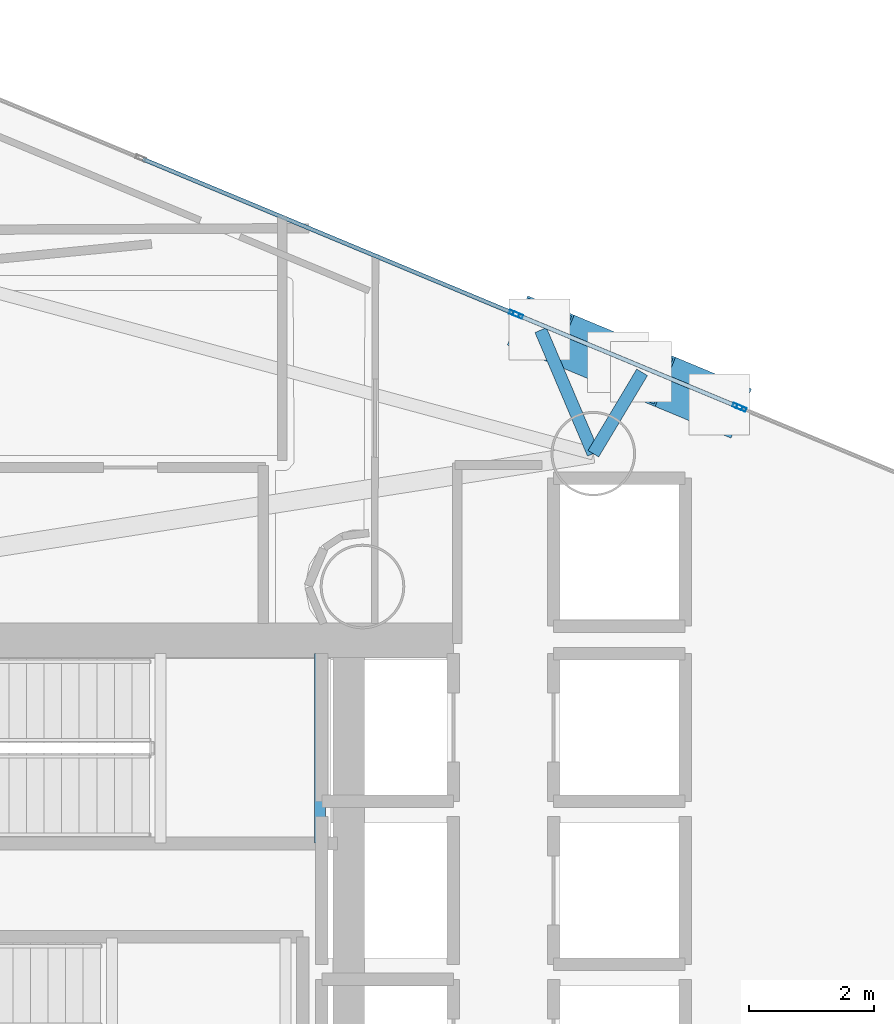
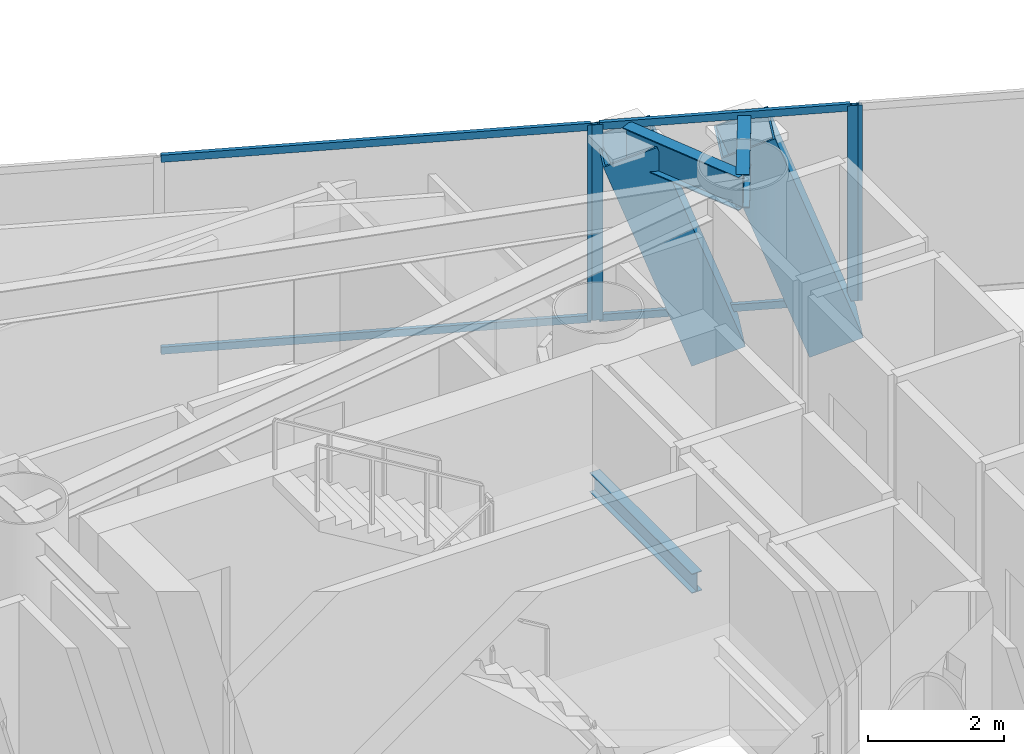
# One storey, part 13 of 22: 10 members, 3 beams, 3 elements without a shape of their own.
"""IFC4 building model written with IfcOpenShell, lengths in metres."""

from ifc_helpers import new_model, si_unit, direction, frame, origin, origin_2d, place, context, subcontext, project, spatial, hollow_rectangle, i_section, extrude, material, layer, layer_set, material_profile, profile_set, type_object, element, aggregate, save


model = new_model("IFC4")

# Units and contexts
model_context = context("Model", 3, precision=1e-05, world=origin(), true_north=direction((0.0, 1.0)))
body_context = subcontext(model_context, "Body", "Model", "MODEL_VIEW")
ifc_project = project(units=[si_unit("LENGTHUNIT", "METRE"), si_unit("AREAUNIT", "SQUARE_METRE"), si_unit("VOLUMEUNIT", "CUBIC_METRE"), si_unit("PLANEANGLEUNIT", "RADIAN"), si_unit("MASSUNIT", "GRAM", prefix="KILO")], contexts=[model_context])

# Site, building, storey
site_placement = place(None, origin())
site = spatial("IfcSite", under=ifc_project, at=site_placement, CompositionType="ELEMENT")
building_placement = place(site_placement, origin())
building = spatial("IfcBuilding", under=site, at=building_placement, Name="Qianvela Tower", CompositionType="ELEMENT")
storey_placement = place(building_placement, frame((0.0, 0.0, 158.699951171875)))
storey = spatial("IfcBuildingStorey", under=building, at=storey_placement, Name="L40", CompositionType="ELEMENT", Elevation=158.699951171875)

# Beams
ifc_material_1 = material(Name="Steel Q355B", Category="steel")
ifc_material_profile_1 = material_profile(ifc_material_1, i_section(OverallWidth=0.175048828125, OverallDepth=0.35009765625, WebThickness=0.007080078125, FlangeThickness=0.010986328125, at=origin_2d()), Name="HN350x175x7x11")
ifc_profile_set_1 = profile_set([ifc_material_profile_1], Name="Steel Q355B")
beam_type_1 = type_object("IfcBeamType", Name="BM-HN350-JOIST", PredefinedType="JOIST", material=ifc_profile_set_1)
beam_1_placement = place(storey_placement, frame((37.719970703125, 29.4599609375, 1.47509765625), z_axis=(0.0, 1.0, 0.0), x_axis=(-1.0, 0.0, 0.0)))
element("IfcBeam", 1, at=beam_1_placement, inside=storey, type_object=beam_type_1, Name="L40 Stair ST-1 Landing Support Beam 1.2", PredefinedType="JOIST", context=body_context, shape_type="SweptSolid", body=[
    extrude(i_section(OverallWidth=0.175048828125, OverallDepth=0.35009765625, WebThickness=0.007080078125, FlangeThickness=0.010986328125, at=origin_2d()), origin(), (0.0, 0.0, 1.0), 3.02001953125),
])
ifc_material_2 = material(Name="Steel Q355B", Category="steel")
ifc_material_profile_2 = material_profile(ifc_material_2, i_section(OverallWidth=0.199951171875, OverallDepth=0.60009765625, WebThickness=0.010986328125, FlangeThickness=0.01708984375, at=origin_2d()), Name="HN600x200x11x17")
ifc_profile_set_2 = profile_set([ifc_material_profile_2], Name="Steel Q355B")
beam_type_2 = type_object("IfcBeamType", Name="BM-HN600-GIRD", PredefinedType="BEAM", material=ifc_profile_set_2)
beam_2_placement = place(storey_placement, frame((42.0830078125, 35.6689453125, 3.218017578125), z_axis=(0.514163979884, 0.857691903768, 0.0), x_axis=(-0.857691903768, 0.514163979884, 0.0)))
element("IfcBeam", 2, at=beam_2_placement, inside=storey, type_object=beam_type_2, Name="L40 Mega-Brace Column Tie Bracket F1-1", PredefinedType="BEAM", context=body_context, shape_type="SweptSolid", body=[
    extrude(i_section(OverallWidth=0.199951171875, OverallDepth=0.60009765625, WebThickness=0.010986328125, FlangeThickness=0.01708984375, at=origin_2d()), origin(), (0.0, 0.0, 1.0), 1.51513671875),
])
beam_3_placement = place(storey_placement, frame((42.0830078125, 35.6689453125, 3.218017578125), z_axis=(-0.391388993355, 0.920225328863, 0.0), x_axis=(-0.920225328863, -0.391388993355, 0.0)))
element("IfcBeam", 3, at=beam_3_placement, inside=storey, type_object=beam_type_2, Name="L40 Mega-Brace Column Tie Bracket F1-2", PredefinedType="BEAM", context=body_context, shape_type="SweptSolid", body=[
    extrude(i_section(OverallWidth=0.199951171875, OverallDepth=0.60009765625, WebThickness=0.010986328125, FlangeThickness=0.01708984375, at=origin_2d()), origin(), (0.0, 0.0, 1.0), 2.14404296875),
])

# Curtain wall, members
ifc_material_3 = material(Name="Anodised Architectural Aluminium and Insulated Spandrel Panel", Category="aluminium")
ifc_layer_1 = layer(ifc_material_3, 0.179931640625)
ifc_layer_set_1 = layer_set([ifc_layer_1], Name="Anodised Architectural Aluminium and Insulated Spandrel Panel")
curtain_wall_type_1 = type_object("IfcCurtainWallType", Name="CW-BRACEBAY", PredefinedType="USERDEFINED", material=ifc_layer_set_1)
curtain_wall_1_placement = place(storey_placement, origin())
curtain_wall_1 = element("IfcCurtainWall", 4, at=curtain_wall_1_placement, inside=storey, type_object=curtain_wall_type_1, Name="L40 CW-BRACEBAY Curtain Wall 02B", ObjectType="CURTAIN_WALL_SYSTEM", PredefinedType="USERDEFINED")
ifc_material_4 = material(Name="Anodised Architectural Aluminium 6063-T6", Category="aluminium")
ifc_material_profile_3 = material_profile(ifc_material_4, hollow_rectangle(XDim=0.06494140625, YDim=0.159912109375, WallThickness=0.0048828125, at=origin_2d()), Name="ALU-MULL-65x160")
ifc_profile_set_3 = profile_set([ifc_material_profile_3], Name="Anodised Architectural Aluminium 6063-T6")
member_type_1 = type_object("IfcMemberType", Name="CW-BRACEBAY-MULL", PredefinedType="MULLION", material=ifc_profile_set_3)
member_1_placement = place(storey_placement, frame((44.384033203125, 36.421875, 0.0), z_axis=(0.0, 0.0, 1.0), x_axis=(-0.38419225707, -0.923253112428, 0.0)))
member_1 = element("IfcMember", 5, at=member_1_placement, type_object=member_type_1, Name="CW-9 mullion 1", PredefinedType="MULLION", context=body_context, shape_type="SweptSolid", body=[
    extrude(hollow_rectangle(XDim=0.06494140625, YDim=0.159912109375, WallThickness=0.0048828125, at=origin_2d()), origin(), (0.0, 0.0, 1.0), 3.52001953125),
])
member_2_placement = place(storey_placement, frame((40.880126953125, 37.880126953125, 0.0), z_axis=(0.0, 0.0, 1.0), x_axis=(-0.38419225707, -0.923253112428, 0.0)))
member_2 = element("IfcMember", 6, at=member_2_placement, type_object=member_type_1, Name="CW-9 mullion 2", PredefinedType="MULLION", context=body_context, shape_type="SweptSolid", body=[
    extrude(hollow_rectangle(XDim=0.06494140625, YDim=0.159912109375, WallThickness=0.0048828125, at=origin_2d()), origin(), (0.0, 0.0, 1.0), 3.52001953125),
])
ifc_material_5 = material(Name="Anodised Architectural Aluminium 6063-T6", Category="aluminium")
ifc_material_profile_4 = material_profile(ifc_material_5, hollow_rectangle(XDim=0.06494140625, YDim=0.1298828125, WallThickness=0.00439453125, at=origin_2d()), Name="ALU-TRAN-65x130")
ifc_profile_set_4 = profile_set([ifc_material_profile_4], Name="Anodised Architectural Aluminium 6063-T6")
member_type_2 = type_object("IfcMemberType", Name="CW-BRACEBAY-TRAN", PredefinedType="USERDEFINED", material=ifc_profile_set_4)
member_3_placement = place(storey_placement, frame((44.35400390625, 36.4345703125, 0.032470703125), z_axis=(-0.923274321022, 0.384141286692, 0.0), x_axis=(-0.384141286692, -0.923274321022, 0.0)))
member_3 = element("IfcMember", 7, at=member_3_placement, type_object=member_type_2, Name="CW-9 transom 1.1", ObjectType="TRANSOM", PredefinedType="USERDEFINED", context=body_context, shape_type="SweptSolid", body=[
    extrude(hollow_rectangle(XDim=0.06494140625, YDim=0.1298828125, WallThickness=0.00439453125, at=origin_2d()), origin(), (0.0, 0.0, 1.0), 3.72998046875),
])
member_4_placement = place(storey_placement, frame((44.35400390625, 36.4345703125, 3.487548828125), z_axis=(-0.923274321022, 0.384141286692, 0.0), x_axis=(-0.384141286692, -0.923274321022, 0.0)))
member_4 = element("IfcMember", 8, at=member_4_placement, type_object=member_type_2, Name="CW-9 transom 1.2", ObjectType="TRANSOM", PredefinedType="USERDEFINED", context=body_context, shape_type="SweptSolid", body=[
    extrude(hollow_rectangle(XDim=0.06494140625, YDim=0.1298828125, WallThickness=0.00439453125, at=origin_2d()), origin(), (0.0, 0.0, 1.0), 3.72998046875),
])
aggregate(curtain_wall_1, [member_1, member_2, member_3, member_4])

# Curtain wall, member
ifc_material_6 = material(Name="Anodised Architectural Aluminium and Low-E Glass", Category="aluminium")
ifc_layer_2 = layer(ifc_material_6, 0.169921875)
ifc_layer_set_2 = layer_set([ifc_layer_2], Name="Anodised Architectural Aluminium and Low-E Glass")
curtain_wall_type_2 = type_object("IfcCurtainWallType", Name="CW-COLIV-Z34", PredefinedType="USERDEFINED", material=ifc_layer_set_2)
curtain_wall_2_placement = place(storey_placement, origin())
curtain_wall_2 = element("IfcCurtainWall", 9, at=curtain_wall_2_placement, inside=storey, type_object=curtain_wall_type_2, Name="L40 CW-COLIV-Z34 Curtain Wall 02A", ObjectType="CURTAIN_WALL_SYSTEM", PredefinedType="USERDEFINED")
ifc_material_7 = material(Name="Anodised Architectural Aluminium 6063-T6", Category="aluminium")
ifc_material_profile_5 = material_profile(ifc_material_7, hollow_rectangle(XDim=0.06494140625, YDim=0.159912109375, WallThickness=0.0048828125, at=origin_2d()), Name="ALU-MULL-65x160")
ifc_profile_set_5 = profile_set([ifc_material_profile_5], Name="Anodised Architectural Aluminium 6063-T6")
member_type_3 = type_object("IfcMemberType", Name="CW-COLIV-Z34-MULL", PredefinedType="MULLION", material=ifc_profile_set_5)
member_5_placement = place(storey_placement, frame((44.444091796875, 36.39697265625, 0.0), z_axis=(0.0, 0.0, 1.0), x_axis=(-0.384184843417, -0.923256197428, 0.0)))
member_5 = element("IfcMember", 10, at=member_5_placement, type_object=member_type_3, Name="CW-4 mullion 3", PredefinedType="MULLION", context=body_context, shape_type="SweptSolid", body=[
    extrude(hollow_rectangle(XDim=0.06494140625, YDim=0.159912109375, WallThickness=0.0048828125, at=origin_2d()), origin(), (0.0, 0.0, 1.0), 3.52001953125),
])
aggregate(curtain_wall_2, [member_5])

# Curtain wall, members
curtain_wall_3_placement = place(storey_placement, origin())
curtain_wall_3 = element("IfcCurtainWall", 11, at=curtain_wall_3_placement, inside=storey, type_object=curtain_wall_type_2, Name="L40 CW-COLIV-Z34 Curtain Wall 02C", ObjectType="CURTAIN_WALL_SYSTEM", PredefinedType="USERDEFINED")
member_6_placement = place(storey_placement, frame((40.8203125, 37.905029296875, 0.0), z_axis=(0.0, 0.0, 1.0), x_axis=(-0.384182286726, -0.923257261312, 0.0)))
member_6 = element("IfcMember", 12, at=member_6_placement, type_object=member_type_3, Name="CW-4 mullion 1", PredefinedType="MULLION", context=body_context, shape_type="SweptSolid", body=[
    extrude(hollow_rectangle(XDim=0.06494140625, YDim=0.159912109375, WallThickness=0.0048828125, at=origin_2d()), origin(), (0.0, 0.0, 1.0), 3.52001953125),
])
ifc_material_8 = material(Name="Anodised Architectural Aluminium 6063-T6", Category="aluminium")
ifc_material_profile_6 = material_profile(ifc_material_8, hollow_rectangle(XDim=0.06494140625, YDim=0.1298828125, WallThickness=0.00439453125, at=origin_2d()), Name="ALU-TRAN-65x130")
ifc_profile_set_6 = profile_set([ifc_material_profile_6], Name="Anodised Architectural Aluminium 6063-T6")
member_type_4 = type_object("IfcMemberType", Name="CW-COLIV-Z34-TRAN", PredefinedType="USERDEFINED", material=ifc_profile_set_6)
member_7_placement = place(storey_placement, frame((40.790283203125, 37.91748046875, 0.032470703125), z_axis=(-0.923261143844, 0.38417295619, 0.0), x_axis=(-0.38417295619, -0.923261143844, 0.0)))
member_7 = element("IfcMember", 13, at=member_7_placement, type_object=member_type_4, Name="CW-4 transom 1.1", ObjectType="TRANSOM", PredefinedType="USERDEFINED", context=body_context, shape_type="SweptSolid", body=[
    extrude(hollow_rectangle(XDim=0.06494140625, YDim=0.1298828125, WallThickness=0.00439453125, at=origin_2d()), origin(), (0.0, 0.0, 1.0), 6.387451171875),
])
member_8_placement = place(storey_placement, frame((40.790283203125, 37.91748046875, 3.487548828125), z_axis=(-0.923261143844, 0.38417295619, 0.0), x_axis=(-0.38417295619, -0.923261143844, 0.0)))
member_8 = element("IfcMember", 14, at=member_8_placement, type_object=member_type_4, Name="CW-4 transom 1.2", ObjectType="TRANSOM", PredefinedType="USERDEFINED", context=body_context, shape_type="SweptSolid", body=[
    extrude(hollow_rectangle(XDim=0.06494140625, YDim=0.1298828125, WallThickness=0.00439453125, at=origin_2d()), origin(), (0.0, 0.0, 1.0), 6.387451171875),
])
aggregate(curtain_wall_3, [member_6, member_7, member_8])

# Members
ifc_material_9 = material(Name="Steel Q420GJC", Category="steel")
ifc_material_profile_7 = material_profile(ifc_material_9, hollow_rectangle(XDim=0.85009765625, YDim=0.85009765625, WallThickness=0.031982421875, at=origin_2d()), Name="MBOX-850x850x32")
ifc_profile_set_7 = profile_set([ifc_material_profile_7], Name="Steel Q420GJC")
member_type_5 = type_object("IfcMemberType", Name="MBR-MBRACE-850", PredefinedType="BRACE", material=ifc_profile_set_7)
for number, where, z_axis, x_axis, name in (
    (15, (44.073974609375, 36.46435546875, -0.48193359375), (-0.308698620353, 0.128417133568, 0.942451166691), (-0.384087041674, -0.923296888557, 0.0), "L40 Tier 6 Exterior Mega-Brace F1A"),
    (16, (42.455810546875, 37.1376953125, -0.48193359375), (-0.308698620353, 0.128417133568, 0.942451166691), (-0.384087041674, -0.923296888557, 0.0), "L40 Tier 6 Exterior Mega-Brace F1B"),
):
    element("IfcMember", number, at=place(storey_placement, frame(where, z_axis=z_axis, x_axis=x_axis)), inside=storey, type_object=member_type_5, Name=name, PredefinedType="BRACE", context=body_context, shape_type="SweptSolid", body=[
        extrude(hollow_rectangle(XDim=0.85009765625, YDim=0.85009765625, WallThickness=0.031982421875, at=origin_2d()), origin(), (0.0, 0.0, 1.0), 3.92578125),
    ])

save(model, "model.ifc")
